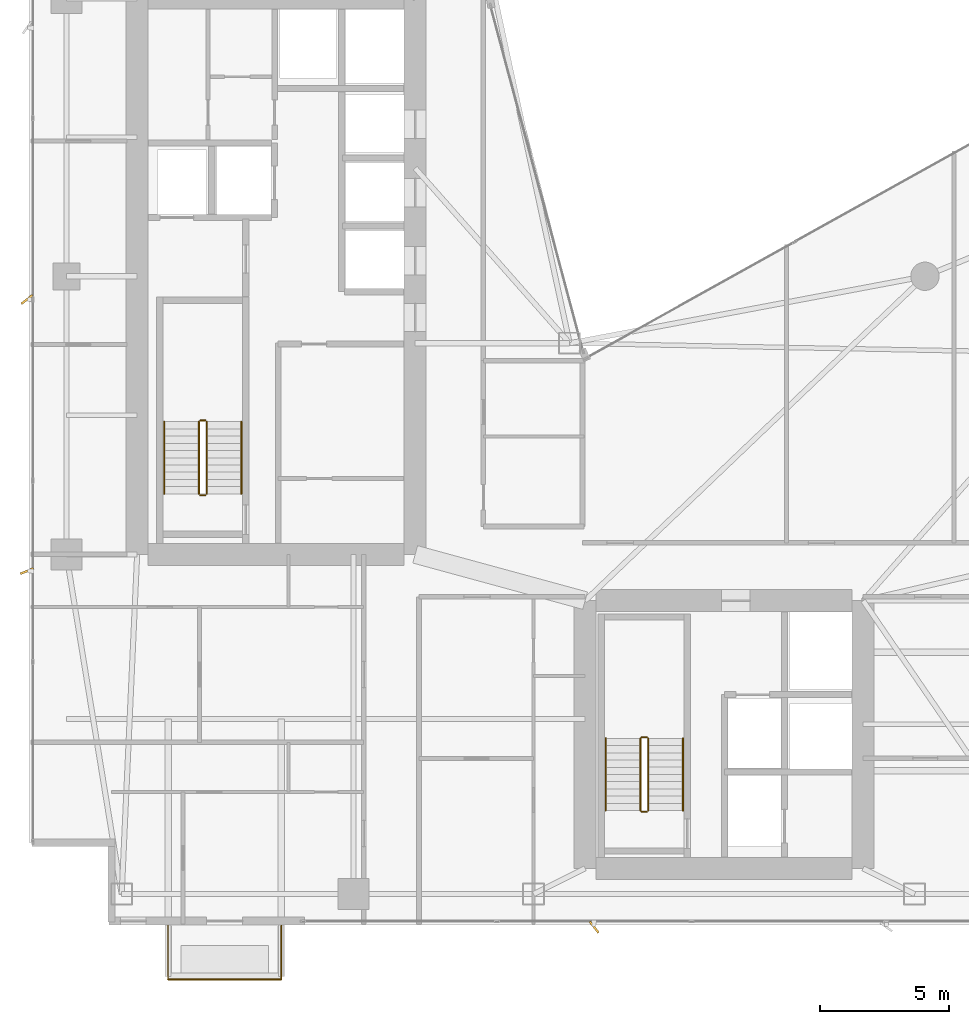
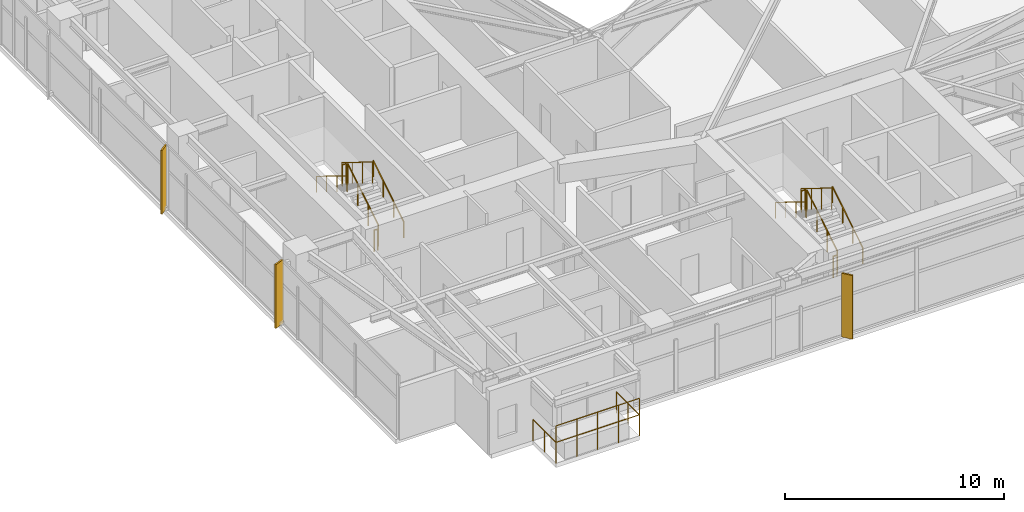
# One storey, part 28 of 29: 14 railings, 3 shading devices.
"""IFC4 building model written with IfcOpenShell, lengths in metres."""

import ifcopenshell
import ifcopenshell.guid

model = None  # the IFC model being written
_history = None  # IfcOwnerHistory: only IFC2X3 demands one
_inside = {}  # id of a spatial element -> (the spatial element, [elements in it])
_under = {}  # id of a project, library or spatial element -> (it, [spatial elements below it])
_declared = {}  # id of a project -> (the project, [libraries it declares])
_typed = {}  # id of a type object -> (the type object, [elements of that type])
_made_of = {}  # id of a material, layer set ... -> (it, [elements and type objects made of it])


def new_model(schema):
    """Start an empty IFC model of exactly this schema.

    Asked for "IFC4X3", IfcOpenShell would pick the latest addendum, in which some entities
    have other attributes; the version numbers below select the first issue.
    IFC2X3 requires an IfcOwnerHistory on every rooted entity: one is made here for all.
    """
    global model, _history
    if schema == "IFC4X3":
        model = ifcopenshell.file(schema_version=(4, 3, 0, 0))
    else:
        model = ifcopenshell.file(schema=schema)
    _inside.clear()
    _under.clear()
    _declared.clear()
    _typed.clear()
    _made_of.clear()
    _history = None
    if model.schema == "IFC2X3":
        org = make("IfcOrganization", Name="unknown")
        user = make(
            "IfcPersonAndOrganization",
            ThePerson=make("IfcPerson", FamilyName="unknown"),
            TheOrganization=org,
        )
        app = make(
            "IfcApplication",
            ApplicationDeveloper=org,
            Version="unknown",
            ApplicationFullName="unknown",
            ApplicationIdentifier="unknown",
        )
        _history = make(
            "IfcOwnerHistory",
            OwningUser=user,
            OwningApplication=app,
            ChangeAction="ADDED",
            CreationDate=0,
        )
    return model


def make(cls, **values):
    """One entity of the class cls with the attributes given. An attribute that is None is left unset."""
    return model.create_entity(
        cls, **{name: value for name, value in values.items() if value is not None}
    )


def rooted(cls, **values):
    """An entity with a GlobalId (a new one), such as an element, a storey or a relation."""
    return make(cls, GlobalId=ifcopenshell.guid.new(), OwnerHistory=_history, **values)


def si_unit(unit_type, name, prefix=None):
    """IfcSIUnit, for example si_unit("LENGTHUNIT", "METRE", prefix="MILLI")."""
    return make("IfcSIUnit", UnitType=unit_type, Prefix=prefix, Name=name)


def assignment(units):
    """IfcUnitAssignment: the units of a project."""
    return None if units is None else make("IfcUnitAssignment", Units=units)


def point(xyz):
    """IfcCartesianPoint."""
    return None if xyz is None else make("IfcCartesianPoint", Coordinates=xyz)


def direction(xyz):
    """IfcDirection."""
    return None if xyz is None else make("IfcDirection", DirectionRatios=xyz)


def frame(location, z_axis=None, x_axis=None):
    """IfcAxis2Placement3D, a coordinate frame: its origin and axes. An axis left out is left unset."""
    return make(
        "IfcAxis2Placement3D",
        Location=point(location),
        Axis=direction(z_axis),
        RefDirection=direction(x_axis),
    )


def frame_2d(location, x_axis=None):
    """IfcAxis2Placement2D, a coordinate frame in the plane: its origin and x axis."""
    return make(
        "IfcAxis2Placement2D", Location=point(location), RefDirection=direction(x_axis)
    )


def origin():
    """The frame at (0, 0, 0) with its axes left unset."""
    return frame((0.0, 0.0, 0.0))


def origin_2d():
    """The frame at (0, 0) in the plane with its x axis left unset."""
    return frame_2d((0.0, 0.0))


def place(relative_to, where):
    """IfcLocalPlacement: puts the frame where relative to a parent placement (None: the world)."""
    return make(
        "IfcLocalPlacement", PlacementRelTo=relative_to, RelativePlacement=where
    )


def context(
    kind, dimensions, precision=None, world=None, true_north=None, identifier=None
):
    """IfcGeometricRepresentationContext, for example the 3D "Model" context."""
    return make(
        "IfcGeometricRepresentationContext",
        ContextIdentifier=identifier,
        ContextType=kind,
        CoordinateSpaceDimension=dimensions,
        Precision=precision,
        WorldCoordinateSystem=world,
        TrueNorth=true_north,
    )


def subcontext(parent, identifier, kind, view, scale=None):
    """IfcGeometricRepresentationSubContext, for example "Body" below "Model"."""
    return make(
        "IfcGeometricRepresentationSubContext",
        ContextIdentifier=identifier,
        ContextType=kind,
        ParentContext=parent,
        TargetScale=scale,
        TargetView=view,
    )


def project(units=None, contexts=None):
    """IfcProject with its units and contexts."""
    return rooted(
        "IfcProject",
        Name="project",
        RepresentationContexts=contexts,
        UnitsInContext=assignment(units),
    )


def spatial(cls, under=None, at=None, **own):
    """A site, building, storey or space (cls), placed at a placement, below another one or the project."""
    s = rooted(cls, ObjectPlacement=at, **own)
    if under is not None:
        _under.setdefault(under.id(), (under, []))[1].append(s)
    return s


def profile(cls, at=None, kind="AREA", **sizes):
    """A parametric profile (cls). Its sizes go by their IFC names, for example OverallWidth=200.0."""
    return make(cls, ProfileType=kind, Position=at, **sizes)


def rectangle(**sizes):
    """IfcRectangleProfileDef."""
    return profile("IfcRectangleProfileDef", **sizes)


def circle(**sizes):
    """IfcCircleProfileDef."""
    return profile("IfcCircleProfileDef", **sizes)


def extrude(swept, where, along, depth):
    """IfcExtrudedAreaSolid: the profile swept, set in the frame where, extruded along a direction by depth."""
    return make(
        "IfcExtrudedAreaSolid",
        SweptArea=swept,
        Position=where,
        ExtrudedDirection=direction(along),
        Depth=depth,
    )


def shape(context_of_items, identifier, shape_type, items):
    """IfcShapeRepresentation: the items that make up one representation, for example the "Body"."""
    return make(
        "IfcShapeRepresentation",
        ContextOfItems=context_of_items,
        RepresentationIdentifier=identifier,
        RepresentationType=shape_type,
        Items=items,
    )


def material(Name=None, Category=None):
    """IfcMaterial."""
    return make("IfcMaterial", Name=Name, Category=Category)


def made_of(thing, what):
    """Note that an element or type object is made of a material, layer set ...; save() writes the relation."""
    if what is not None:
        _made_of.setdefault(what.id(), (what, []))[1].append(thing)
    return thing


def type_object(cls, material=None, **own):
    """A type object (cls), such as IfcWallType, which elements share."""
    return made_of(rooted(cls, **own), material)


def element(
    cls,
    number,
    at=None,
    inside=None,
    cuts=None,
    type_object=None,
    material=None,
    context=None,
    identifier="Body",
    shape_type=None,
    held_by="IfcProductDefinitionShape",
    body=None,
    shapes=None,
    **own,
):
    """One element of the class cls, such as IfcWall. Its Tag is "e" and its number.

    at: its placement. inside: the storey or other place that contains it. cuts: it is an
    opening in that element (IfcRelVoidsElement). A single representation is given by context,
    identifier, shape_type and body (its items); several are given by shapes. held_by: the class
    of the entity that holds the representations. save() writes the other relations.
    """
    e = rooted(cls, Tag="e%d" % number, ObjectPlacement=at, **own)
    if body is not None:
        shapes = [shape(context, identifier, shape_type, body)]
    if shapes is not None:
        e.Representation = make(held_by, Representations=shapes)
    if inside is not None:
        _inside.setdefault(inside.id(), (inside, []))[1].append(e)
    if cuts is not None:
        rooted(
            "IfcRelVoidsElement", RelatingBuildingElement=cuts, RelatedOpeningElement=e
        )
    if type_object is not None:
        _typed.setdefault(type_object.id(), (type_object, []))[1].append(e)
    return made_of(e, material)


def aggregate(whole, parts):
    """IfcRelAggregates: a whole, such as a stair, and the parts it consists of."""
    return rooted("IfcRelAggregates", RelatingObject=whole, RelatedObjects=parts)


def save(model, path):
    """Write the relations noted so far, then the file.

    IfcRelAggregates (storeys below a building ...), IfcRelContainedInSpatialStructure (elements
    in a storey), IfcRelDefinesByType, IfcRelAssociatesMaterial and IfcRelDeclares: one each for
    every whole, place, type object, material and project.
    """
    for whole, parts in _under.values():
        aggregate(whole, parts)
    for where, things in _inside.values():
        rooted(
            "IfcRelContainedInSpatialStructure",
            RelatedElements=things,
            RelatingStructure=where,
        )
    for kind, things in _typed.values():
        rooted("IfcRelDefinesByType", RelatedObjects=things, RelatingType=kind)
    for what, things in _made_of.values():
        rooted("IfcRelAssociatesMaterial", RelatedObjects=things, RelatingMaterial=what)
    for by, libraries in _declared.values():
        rooted("IfcRelDeclares", RelatingContext=by, RelatedDefinitions=libraries)
    model.write(path)


model = new_model("IFC4")

# Units and contexts
model_context = context("Model", 3, precision=1e-05, world=origin(), true_north=direction((0.0, 1.0)))
body_context = subcontext(model_context, "Body", "Model", "MODEL_VIEW")
ifc_project = project(units=[si_unit("LENGTHUNIT", "METRE"), si_unit("AREAUNIT", "SQUARE_METRE"), si_unit("VOLUMEUNIT", "CUBIC_METRE"), si_unit("PLANEANGLEUNIT", "RADIAN"), si_unit("MASSUNIT", "GRAM", prefix="KILO")], contexts=[model_context])

# Site, building, storey
site_placement = place(None, origin())
site = spatial("IfcSite", under=ifc_project, at=site_placement, CompositionType="ELEMENT")
building_placement = place(site_placement, origin())
building = spatial("IfcBuilding", under=site, at=building_placement, Name="Calvorn Quay Hotel", CompositionType="ELEMENT")
storey_placement = place(building_placement, frame((0.0, 0.0, 163.699951171875)))
storey = spatial("IfcBuildingStorey", under=building, at=storey_placement, Name="L40", CompositionType="ELEMENT", Elevation=163.699951171875)

# Railings
ifc_material_1 = material(Name="Pale Anodised Aluminium and Laminated Glass", Category="aluminium")
railing_type_1 = type_object("IfcRailingType", Name="RLG-BALUSTRADE-1200", PredefinedType="BALUSTRADE", material=ifc_material_1)
railing_1_placement = place(storey_placement, frame((5.39990234375, 2.389892578125, 0.0)))
element("IfcRailing", 1, at=railing_1_placement, inside=storey, type_object=railing_type_1, Name="Tree Balcony Perimeter Balustrade L40-BALC-S", PredefinedType="BALUSTRADE", context=body_context, shape_type="SweptSolid", body=[
    extrude(circle(Radius=0.02392578125, at=origin_2d()), frame((0.0, 0.0, 1.17578125), z_axis=(0.0, -1.0, 0.0), x_axis=(1.0, 0.0, 0.0)), (0.0, 0.0, 1.0), 2.099853515625),
    extrude(circle(Radius=0.02392578125, at=origin_2d()), frame((0.0, -2.099853515625, 1.17578125), z_axis=(1.0, 0.0, 0.0), x_axis=(0.0, 1.0, 0.0)), (0.0, 0.0, 1.0), 4.400146484375),
    extrude(circle(Radius=0.02392578125, at=origin_2d()), frame((4.400146484375, -2.099853515625, 1.17578125), z_axis=(0.0, 1.0, 0.0), x_axis=(-1.0, 0.0, 0.0)), (0.0, 0.0, 1.0), 2.099853515625),
    extrude(circle(Radius=0.02099609375, at=origin_2d()), origin(), (0.0, 0.0, 1.0), 1.15185546875),
    extrude(circle(Radius=0.02099609375, at=origin_2d()), frame((0.0, -1.0498046875, 0.0)), (0.0, 0.0, 1.0), 1.15185546875),
    extrude(circle(Radius=0.02099609375, at=origin_2d()), frame((0.0, -2.099853515625, 0.0)), (0.0, 0.0, 1.0), 1.15185546875),
    extrude(circle(Radius=0.02099609375, at=origin_2d()), frame((1.10009765625, -2.099853515625, 0.0)), (0.0, 0.0, 1.0), 1.15185546875),
    extrude(circle(Radius=0.02099609375, at=origin_2d()), frame((2.2001953125, -2.099853515625, 0.0)), (0.0, 0.0, 1.0), 1.15185546875),
    extrude(circle(Radius=0.02099609375, at=origin_2d()), frame((3.300048828125, -2.099853515625, 0.0)), (0.0, 0.0, 1.0), 1.15185546875),
    extrude(circle(Radius=0.02099609375, at=origin_2d()), frame((4.400146484375, -2.099853515625, 0.0)), (0.0, 0.0, 1.0), 1.15185546875),
    extrude(circle(Radius=0.02099609375, at=origin_2d()), frame((4.400146484375, -1.0498046875, 0.0)), (0.0, 0.0, 1.0), 1.15185546875),
    extrude(circle(Radius=0.02099609375, at=origin_2d()), frame((4.400146484375, 0.0, 0.0)), (0.0, 0.0, 1.0), 1.15185546875),
])
railing_2_placement = place(storey_placement, frame((5.39990234375, 0.2900390625, 0.900146484375)))
element("IfcRailing", 2, at=railing_2_placement, inside=storey, type_object=railing_type_1, Name="Planter Kerb High Safety Screen L40-BALC-S", PredefinedType="BALUSTRADE", context=body_context, shape_type="SweptSolid", body=[
    extrude(circle(Radius=0.02392578125, at=origin_2d()), frame((0.0, 0.0, 1.19580078125), z_axis=(1.0, 0.0, 0.0), x_axis=(0.0, 1.0, 0.0)), (0.0, 0.0, 1.0), 4.400146484375),
    extrude(circle(Radius=0.02099609375, at=origin_2d()), origin(), (0.0, 0.0, 1.0), 1.171875),
    extrude(circle(Radius=0.02099609375, at=origin_2d()), frame((1.10009765625, 0.0, 0.0)), (0.0, 0.0, 1.0), 1.171875),
    extrude(circle(Radius=0.02099609375, at=origin_2d()), frame((2.2001953125, 0.0, 0.0)), (0.0, 0.0, 1.0), 1.171875),
    extrude(circle(Radius=0.02099609375, at=origin_2d()), frame((3.300048828125, 0.0, 0.0)), (0.0, 0.0, 1.0), 1.171875),
    extrude(circle(Radius=0.02099609375, at=origin_2d()), frame((4.400146484375, 0.0, 0.0)), (0.0, 0.0, 1.0), 1.171875),
])
ifc_material_2 = material(Name="Brushed Stainless Steel Handrail", Category="steel")
railing_type_2 = type_object("IfcRailingType", Name="RLG-HANDRAIL-900", PredefinedType="HANDRAIL", material=ifc_material_2)
railing_3_placement = place(storey_placement, frame((8.25, 19.14990234375, 0.1728515625)))
element("IfcRailing", 3, at=railing_3_placement, inside=storey, type_object=railing_type_2, Name="L40 ST-W stair handrail 1", PredefinedType="HANDRAIL", context=body_context, shape_type="SweptSolid", body=[
    extrude(circle(Radius=0.02392578125, at=origin_2d()), frame((0.0, 0.0, 0.8759765625), z_axis=(0.0, 0.851089632645, 0.525020415988), x_axis=(-1.0, 0.0, 0.0)), (0.0, 0.0, 1.0), 3.2900390625),
    extrude(circle(Radius=0.02099609375, at=origin_2d()), origin(), (0.0, 0.0, 1.0), 0.851806640625),
    extrude(circle(Radius=0.02099609375, at=origin_2d()), frame((0.0, 0.933349609375, 0.57568359375)), (0.0, 0.0, 1.0), 0.851806640625),
    extrude(circle(Radius=0.02099609375, at=origin_2d()), frame((0.0, 1.86669921875, 1.151611328125)), (0.0, 0.0, 1.0), 0.851806640625),
    extrude(circle(Radius=0.02099609375, at=origin_2d()), frame((0.0, 2.800048828125, 1.727294921875)), (0.0, 0.0, 1.0), 0.851806640625),
])
railing_4_placement = place(storey_placement, frame((5.25, 21.949951171875, 2.07275390625)))
element("IfcRailing", 4, at=railing_4_placement, inside=storey, type_object=railing_type_2, Name="L40 ST-W stair handrail 2", PredefinedType="HANDRAIL", context=body_context, shape_type="SweptSolid", body=[
    extrude(circle(Radius=0.02392578125, at=origin_2d()), frame((0.0, 0.0, 0.8759765625), z_axis=(0.0, -0.851089632645, 0.525020415988), x_axis=(1.0, 0.0, 0.0)), (0.0, 0.0, 1.0), 3.2900390625),
    extrude(circle(Radius=0.02099609375, at=origin_2d()), origin(), (0.0, 0.0, 1.0), 0.851806640625),
    extrude(circle(Radius=0.02099609375, at=origin_2d()), frame((0.0, -0.933349609375, 0.57568359375)), (0.0, 0.0, 1.0), 0.851806640625),
    extrude(circle(Radius=0.02099609375, at=origin_2d()), frame((0.0, -1.86669921875, 1.151611328125)), (0.0, 0.0, 1.0), 0.851806640625),
    extrude(circle(Radius=0.02099609375, at=origin_2d()), frame((0.0, -2.800048828125, 1.727294921875)), (0.0, 0.0, 1.0), 0.851806640625),
])
railing_5_placement = place(storey_placement, frame((25.39990234375, 6.85009765625, 0.1728515625)))
element("IfcRailing", 5, at=railing_5_placement, inside=storey, type_object=railing_type_2, Name="L40 ST-E stair handrail 1", PredefinedType="HANDRAIL", context=body_context, shape_type="SweptSolid", body=[
    extrude(circle(Radius=0.02392578125, at=origin_2d()), frame((0.0, 0.0, 0.8759765625), z_axis=(0.0, 0.851069175582, 0.525053576669), x_axis=(-1.0, 0.0, 0.0)), (0.0, 0.0, 1.0), 3.289794921875),
    extrude(circle(Radius=0.02099609375, at=origin_2d()), origin(), (0.0, 0.0, 1.0), 0.851806640625),
    extrude(circle(Radius=0.02099609375, at=origin_2d()), frame((0.0, 0.933349609375, 0.57568359375)), (0.0, 0.0, 1.0), 0.851806640625),
    extrude(circle(Radius=0.02099609375, at=origin_2d()), frame((0.0, 1.866455078125, 1.151611328125)), (0.0, 0.0, 1.0), 0.851806640625),
    extrude(circle(Radius=0.02099609375, at=origin_2d()), frame((0.0, 2.7998046875, 1.727294921875)), (0.0, 0.0, 1.0), 0.851806640625),
])
railing_6_placement = place(storey_placement, frame((22.39990234375, 9.64990234375, 2.07275390625)))
element("IfcRailing", 6, at=railing_6_placement, inside=storey, type_object=railing_type_2, Name="L40 ST-E stair handrail 2", PredefinedType="HANDRAIL", context=body_context, shape_type="SweptSolid", body=[
    extrude(circle(Radius=0.02392578125, at=origin_2d()), frame((0.0, 0.0, 0.8759765625), z_axis=(0.0, -0.851069175582, 0.525053576669), x_axis=(1.0, 0.0, 0.0)), (0.0, 0.0, 1.0), 3.289794921875),
    extrude(circle(Radius=0.02099609375, at=origin_2d()), origin(), (0.0, 0.0, 1.0), 0.851806640625),
    extrude(circle(Radius=0.02099609375, at=origin_2d()), frame((0.0, -0.933349609375, 0.57568359375)), (0.0, 0.0, 1.0), 0.851806640625),
    extrude(circle(Radius=0.02099609375, at=origin_2d()), frame((0.0, -1.866455078125, 1.151611328125)), (0.0, 0.0, 1.0), 0.851806640625),
    extrude(circle(Radius=0.02099609375, at=origin_2d()), frame((0.0, -2.7998046875, 1.727294921875)), (0.0, 0.0, 1.0), 0.851806640625),
])
ifc_material_3 = material(Name="Painted Galvanised Steel Balustrade", Category="steel")
railing_type_3 = type_object("IfcRailingType", Name="RLG-STAIR-GUARD-1120", PredefinedType="GUARDRAIL", material=ifc_material_3)
railing_7_placement = place(storey_placement, frame((6.89990234375, 19.14990234375, 0.1728515625)))
element("IfcRailing", 7, at=railing_7_placement, inside=storey, type_object=railing_type_3, Name="L40 ST-W stair guard 1", PredefinedType="GUARDRAIL", context=body_context, shape_type="SweptSolid", body=[
    extrude(circle(Radius=0.02392578125, at=origin_2d()), frame((0.0, 0.0, 1.17578125), z_axis=(0.0, 0.851089632645, 0.525020415988), x_axis=(-1.0, 0.0, 0.0)), (0.0, 0.0, 1.0), 3.2900390625),
    extrude(circle(Radius=0.02099609375, at=origin_2d()), origin(), (0.0, 0.0, 1.0), 1.15185546875),
    extrude(circle(Radius=0.02099609375, at=origin_2d()), frame((0.0, 0.933349609375, 0.57568359375)), (0.0, 0.0, 1.0), 1.15185546875),
    extrude(circle(Radius=0.02099609375, at=origin_2d()), frame((0.0, 1.86669921875, 1.151611328125)), (0.0, 0.0, 1.0), 1.15185546875),
    extrude(circle(Radius=0.02099609375, at=origin_2d()), frame((0.0, 2.800048828125, 1.727294921875)), (0.0, 0.0, 1.0), 1.15185546875),
])
railing_8_placement = place(storey_placement, frame((6.85009765625, 22.0, 1.900146484375)))
element("IfcRailing", 8, at=railing_8_placement, inside=storey, type_object=railing_type_3, Name="L40 ST-W stair guard 2", PredefinedType="GUARDRAIL", context=body_context, shape_type="SweptSolid", body=[
    extrude(circle(Radius=0.02392578125, at=origin_2d()), frame((0.0, 0.0, 1.17578125), z_axis=(-1.0, 0.0, 0.0), x_axis=(0.0, -1.0, 0.0)), (0.0, 0.0, 1.0), 0.2001953125),
    extrude(circle(Radius=0.02099609375, at=origin_2d()), origin(), (0.0, 0.0, 1.0), 1.15185546875),
    extrude(circle(Radius=0.02099609375, at=origin_2d()), frame((-0.2001953125, 0.0, 0.0)), (0.0, 0.0, 1.0), 1.15185546875),
])
railing_9_placement = place(storey_placement, frame((6.60009765625, 21.949951171875, 2.07275390625)))
element("IfcRailing", 9, at=railing_9_placement, inside=storey, type_object=railing_type_3, Name="L40 ST-W stair guard 3", PredefinedType="GUARDRAIL", context=body_context, shape_type="SweptSolid", body=[
    extrude(circle(Radius=0.02392578125, at=origin_2d()), frame((0.0, 0.0, 1.17578125), z_axis=(0.0, -0.851089632645, 0.525020415988), x_axis=(1.0, 0.0, 0.0)), (0.0, 0.0, 1.0), 3.2900390625),
    extrude(circle(Radius=0.02099609375, at=origin_2d()), origin(), (0.0, 0.0, 1.0), 1.15185546875),
    extrude(circle(Radius=0.02099609375, at=origin_2d()), frame((0.0, -0.933349609375, 0.57568359375)), (0.0, 0.0, 1.0), 1.15185546875),
    extrude(circle(Radius=0.02099609375, at=origin_2d()), frame((0.0, -1.86669921875, 1.151611328125)), (0.0, 0.0, 1.0), 1.15185546875),
    extrude(circle(Radius=0.02099609375, at=origin_2d()), frame((0.0, -2.800048828125, 1.727294921875)), (0.0, 0.0, 1.0), 1.15185546875),
])
railing_10_placement = place(storey_placement, frame((6.85009765625, 19.10009765625, 0.0)))
element("IfcRailing", 10, at=railing_10_placement, inside=storey, type_object=railing_type_3, Name="L40 ST-W stair guard 4", PredefinedType="GUARDRAIL", context=body_context, shape_type="SweptSolid", body=[
    extrude(circle(Radius=0.02392578125, at=origin_2d()), frame((0.0, 0.0, 1.17578125), z_axis=(-1.0, 0.0, 0.0), x_axis=(0.0, -1.0, 0.0)), (0.0, 0.0, 1.0), 0.2001953125),
    extrude(circle(Radius=0.02099609375, at=origin_2d()), origin(), (0.0, 0.0, 1.0), 1.15185546875),
    extrude(circle(Radius=0.02099609375, at=origin_2d()), frame((-0.2001953125, 0.0, 0.0)), (0.0, 0.0, 1.0), 1.15185546875),
])
railing_11_placement = place(storey_placement, frame((24.050048828125, 6.85009765625, 0.1728515625)))
element("IfcRailing", 11, at=railing_11_placement, inside=storey, type_object=railing_type_3, Name="L40 ST-E stair guard 1", PredefinedType="GUARDRAIL", context=body_context, shape_type="SweptSolid", body=[
    extrude(circle(Radius=0.02392578125, at=origin_2d()), frame((0.0, 0.0, 1.17578125), z_axis=(0.0, 0.851069175582, 0.525053576669), x_axis=(-1.0, 0.0, 0.0)), (0.0, 0.0, 1.0), 3.289794921875),
    extrude(circle(Radius=0.02099609375, at=origin_2d()), origin(), (0.0, 0.0, 1.0), 1.15185546875),
    extrude(circle(Radius=0.02099609375, at=origin_2d()), frame((0.0, 0.933349609375, 0.57568359375)), (0.0, 0.0, 1.0), 1.15185546875),
    extrude(circle(Radius=0.02099609375, at=origin_2d()), frame((0.0, 1.866455078125, 1.151611328125)), (0.0, 0.0, 1.0), 1.15185546875),
    extrude(circle(Radius=0.02099609375, at=origin_2d()), frame((0.0, 2.7998046875, 1.727294921875)), (0.0, 0.0, 1.0), 1.15185546875),
])
railing_12_placement = place(storey_placement, frame((24.0, 9.699951171875, 1.900146484375)))
element("IfcRailing", 12, at=railing_12_placement, inside=storey, type_object=railing_type_3, Name="L40 ST-E stair guard 2", PredefinedType="GUARDRAIL", context=body_context, shape_type="SweptSolid", body=[
    extrude(circle(Radius=0.02392578125, at=origin_2d()), frame((0.0, 0.0, 1.17578125), z_axis=(-1.0, 0.0, 0.0), x_axis=(0.0, -1.0, 0.0)), (0.0, 0.0, 1.0), 0.199951171875),
    extrude(circle(Radius=0.02099609375, at=origin_2d()), origin(), (0.0, 0.0, 1.0), 1.15185546875),
    extrude(circle(Radius=0.02099609375, at=origin_2d()), frame((-0.199951171875, 0.0, 0.0)), (0.0, 0.0, 1.0), 1.15185546875),
])
railing_13_placement = place(storey_placement, frame((23.75, 9.64990234375, 2.07275390625)))
element("IfcRailing", 13, at=railing_13_placement, inside=storey, type_object=railing_type_3, Name="L40 ST-E stair guard 3", PredefinedType="GUARDRAIL", context=body_context, shape_type="SweptSolid", body=[
    extrude(circle(Radius=0.02392578125, at=origin_2d()), frame((0.0, 0.0, 1.17578125), z_axis=(0.0, -0.851069175582, 0.525053576669), x_axis=(1.0, 0.0, 0.0)), (0.0, 0.0, 1.0), 3.289794921875),
    extrude(circle(Radius=0.02099609375, at=origin_2d()), origin(), (0.0, 0.0, 1.0), 1.15185546875),
    extrude(circle(Radius=0.02099609375, at=origin_2d()), frame((0.0, -0.933349609375, 0.57568359375)), (0.0, 0.0, 1.0), 1.15185546875),
    extrude(circle(Radius=0.02099609375, at=origin_2d()), frame((0.0, -1.866455078125, 1.151611328125)), (0.0, 0.0, 1.0), 1.15185546875),
    extrude(circle(Radius=0.02099609375, at=origin_2d()), frame((0.0, -2.7998046875, 1.727294921875)), (0.0, 0.0, 1.0), 1.15185546875),
])
railing_14_placement = place(storey_placement, frame((24.0, 6.800048828125, 0.0)))
element("IfcRailing", 14, at=railing_14_placement, inside=storey, type_object=railing_type_3, Name="L40 ST-E stair guard 4", PredefinedType="GUARDRAIL", context=body_context, shape_type="SweptSolid", body=[
    extrude(circle(Radius=0.02392578125, at=origin_2d()), frame((0.0, 0.0, 1.17578125), z_axis=(-1.0, 0.0, 0.0), x_axis=(0.0, -1.0, 0.0)), (0.0, 0.0, 1.0), 0.199951171875),
    extrude(circle(Radius=0.02099609375, at=origin_2d()), origin(), (0.0, 0.0, 1.0), 1.15185546875),
    extrude(circle(Radius=0.02099609375, at=origin_2d()), frame((-0.199951171875, 0.0, 0.0)), (0.0, 0.0, 1.0), 1.15185546875),
])

# Shading devices
ifc_material_4 = material(Name="Champagne Bronze Anodised Aluminium 6063-T6", Category="aluminium")
shading_device_type_1 = type_object("IfcShadingDeviceType", Name="SHD-FIN-A1", PredefinedType="USERDEFINED", material=ifc_material_4)
shading_device_placement = place(storey_placement, frame((-0.080078125, 16.14990234375, 0.0), z_axis=(0.0, 0.0, 1.0), x_axis=(0.927183854567, 0.374606593416, 0.0)))
element("IfcShadingDevice", 15, at=shading_device_placement, inside=storey, type_object=shading_device_type_1, Name="Diagonal Sun-Shading Fin L40-W01", ObjectType="FIN", PredefinedType="USERDEFINED", context=body_context, shape_type="SweptSolid", body=[
    extrude(rectangle(XDim=0.550048828125, YDim=0.080078125, at=origin_2d()), origin(), (0.0, 0.0, 1.0), 3.56005859375),
])
ifc_material_5 = material(Name="Champagne Bronze Anodised Aluminium 6063-T6", Category="aluminium")
shading_device_type_2 = type_object("IfcShadingDeviceType", Name="SHD-FIN-A2", PredefinedType="USERDEFINED", material=ifc_material_5)
for number, where, z_axis, x_axis, name in (
    (16, (-0.080078125, 26.699951171875, 0.0), (0.0, 0.0, 1.0), (0.788010753607, 0.615661475326, 0.0), "Diagonal Sun-Shading Fin L40-W02"),
    (17, (21.949951171875, 2.320068359375, 0.0), (0.0, 0.0, 1.0), (-0.615661475326, 0.788010753607, 0.0), "Diagonal Sun-Shading Fin L40-S01"),
):
    element("IfcShadingDevice", number, at=place(storey_placement, frame(where, z_axis=z_axis, x_axis=x_axis)), inside=storey, type_object=shading_device_type_2, Name=name, ObjectType="FIN", PredefinedType="USERDEFINED", context=body_context, shape_type="SweptSolid", body=[
        extrude(rectangle(XDim=0.550048828125, YDim=0.080078125, at=origin_2d()), origin(), (0.0, 0.0, 1.0), 3.56005859375),
    ])

save(model, "model.ifc")
